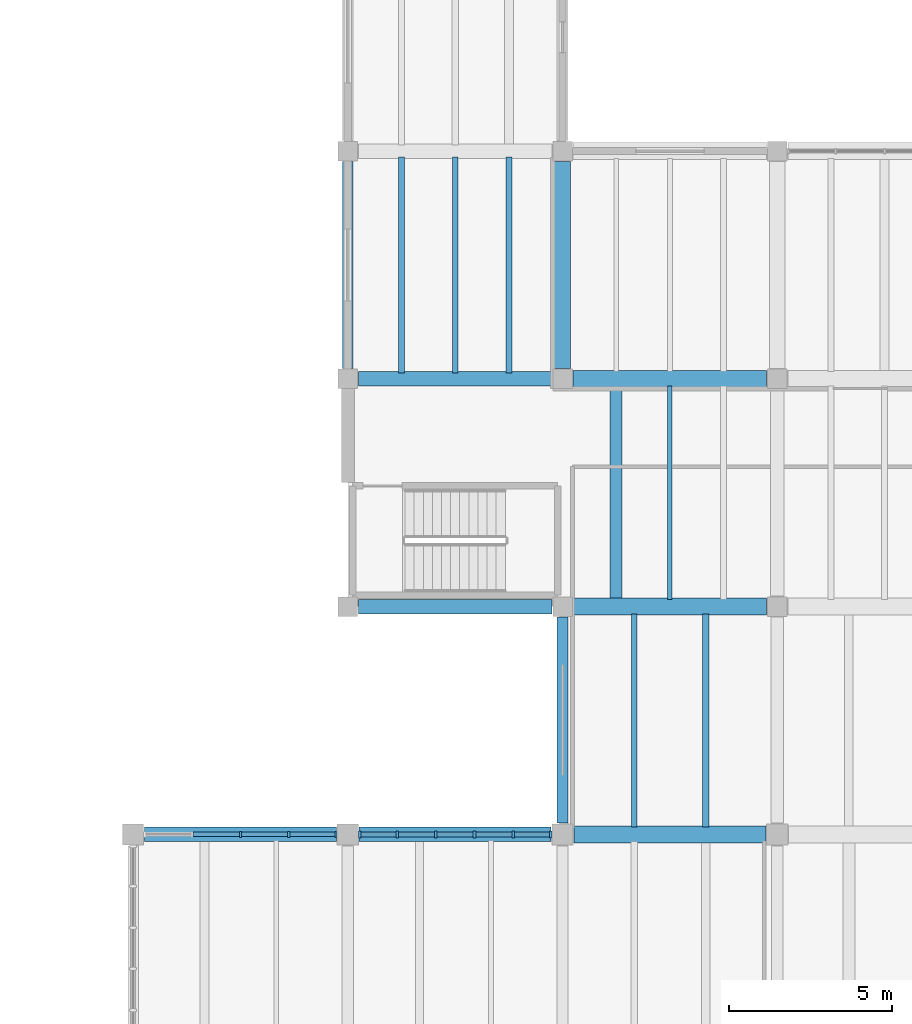
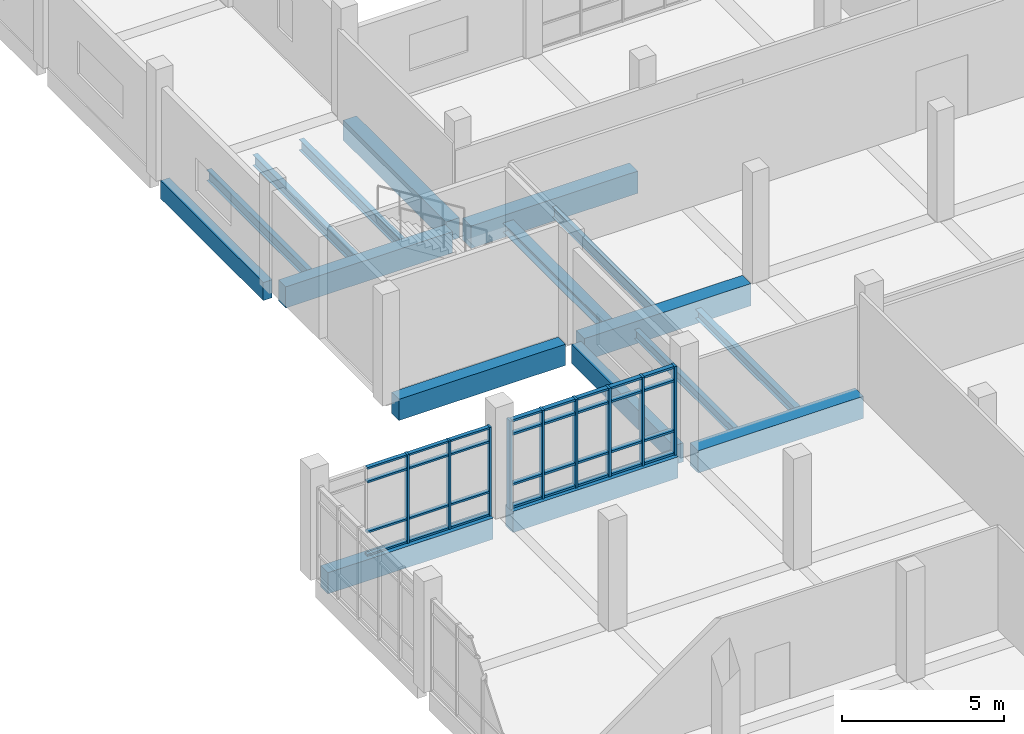
# One storey, part 9 of 68: 41 members, 17 beams, 2 elements without a shape of their own.
"""IFC4 building model written with IfcOpenShell, lengths in metres."""

from ifc_helpers import new_model, si_unit, direction, frame, origin, origin_2d, place, context, subcontext, project, spatial, rectangle, i_section, extrude, material, material_profile, profile_set, type_object, element, aggregate, save


model = new_model("IFC4")

# Units and contexts
model_context = context("Model", 3, precision=1e-05, world=origin(), true_north=direction((0.0, 1.0)))
body_context = subcontext(model_context, "Body", "Model", "MODEL_VIEW")
ifc_project = project(units=[si_unit("LENGTHUNIT", "METRE"), si_unit("AREAUNIT", "SQUARE_METRE"), si_unit("VOLUMEUNIT", "CUBIC_METRE"), si_unit("PLANEANGLEUNIT", "RADIAN"), si_unit("MASSUNIT", "GRAM", prefix="KILO")], contexts=[model_context])

# Site, building, storey
site_placement = place(None, origin())
site = spatial("IfcSite", under=ifc_project, at=site_placement, CompositionType="ELEMENT")
building_placement = place(site_placement, origin())
building = spatial("IfcBuilding", under=site, at=building_placement, Name="Ciguamira Faculty of Natural Sciences", CompositionType="ELEMENT")
storey_placement = place(building_placement, frame((0.0, 0.0, 4.199951171875)))
storey = spatial("IfcBuildingStorey", under=building, at=storey_placement, Name="L01", CompositionType="ELEMENT", Elevation=4.199951171875)

# Curtain wall, members
ifc_material_1 = material(Name="Anodized aluminium curtain wall", Category="aluminium")
curtain_wall_type_1 = type_object("IfcCurtainWallType", Name="CurtainWall_CW-08", PredefinedType="USERDEFINED", material=ifc_material_1)
curtain_wall_1_placement = place(storey_placement, origin())
curtain_wall_1 = element("IfcCurtainWall", 1, at=curtain_wall_1_placement, inside=storey, type_object=curtain_wall_type_1, Name="L01 unitised curtain wall 0032", ObjectType="UNITISED CURTAIN WALL", PredefinedType="USERDEFINED")
ifc_material_2 = material(Name="Anodized aluminium mullion", Category="aluminium")
ifc_material_profile_1 = material_profile(ifc_material_2, rectangle(XDim=0.070068359375, YDim=0.179931640625, at=origin_2d()), Name="ALU-MUL-70X180")
ifc_profile_set_1 = profile_set([ifc_material_profile_1], Name="Anodized aluminium mullion")
member_type_1 = type_object("IfcMemberType", Name="CWMullion_CWM-02", PredefinedType="MULLION", material=ifc_profile_set_1)
member_1_placement = place(storey_placement, frame((54.0, 38.0, 0.0), z_axis=(0.0, 0.0, 1.0), x_axis=(1.0, 0.0, 0.0)))
member_1 = element("IfcMember", 2, at=member_1_placement, type_object=member_type_1, Name="CW-08 mullion 3", PredefinedType="MULLION", context=body_context, shape_type="SweptSolid", body=[
    extrude(rectangle(XDim=0.070068359375, YDim=0.179931640625, at=origin_2d()), origin(), (0.0, 0.0, 1.0), 3.344970703125),
])
member_2_placement = place(storey_placement, frame((55.487548828125, 38.0, 0.0), z_axis=(0.0, 0.0, 1.0), x_axis=(1.0, 0.0, 0.0)))
member_2 = element("IfcMember", 3, at=member_2_placement, type_object=member_type_1, Name="CW-08 mullion 4", PredefinedType="MULLION", context=body_context, shape_type="SweptSolid", body=[
    extrude(rectangle(XDim=0.070068359375, YDim=0.179931640625, at=origin_2d()), origin(), (0.0, 0.0, 1.0), 3.344970703125),
])
member_3_placement = place(storey_placement, frame((56.93994140625, 38.0, 0.0), z_axis=(0.0, 0.0, 1.0), x_axis=(1.0, 0.0, 0.0)))
member_3 = element("IfcMember", 4, at=member_3_placement, type_object=member_type_1, Name="CW-08 mullion 5", PredefinedType="MULLION", context=body_context, shape_type="SweptSolid", body=[
    extrude(rectangle(XDim=0.070068359375, YDim=0.179931640625, at=origin_2d()), origin(), (0.0, 0.0, 1.0), 3.344970703125),
])

curtain_wall_type_2 = type_object("IfcCurtainWallType", Name="CurtainWall_CW-09", PredefinedType="USERDEFINED", material=ifc_material_1)
curtain_wall_2_placement = place(storey_placement, origin())
curtain_wall_2 = element("IfcCurtainWall", 5, at=curtain_wall_2_placement, inside=storey, type_object=curtain_wall_type_2, Name="L01 unitised curtain wall 0033", ObjectType="UNITISED CURTAIN WALL", PredefinedType="USERDEFINED")
ifc_material_profile_2 = material_profile(ifc_material_2, rectangle(XDim=0.080078125, YDim=0.219970703125, at=origin_2d()), Name="ALU-MUL-80X220")
ifc_profile_set_2 = profile_set([ifc_material_profile_2], Name="Anodized aluminium mullion")
member_type_2 = type_object("IfcMemberType", Name="CWMullion_CWM-03", PredefinedType="MULLION", material=ifc_profile_set_2)
member_4_placement = place(storey_placement, frame((57.6650390625, 38.0, 0.0), z_axis=(0.0, 0.0, 1.0), x_axis=(1.0, 0.0, 0.0)))
member_4 = element("IfcMember", 6, at=member_4_placement, type_object=member_type_2, Name="CW-09 mullion 1", PredefinedType="MULLION", context=body_context, shape_type="SweptSolid", body=[
    extrude(rectangle(XDim=0.080078125, YDim=0.219970703125, at=origin_2d()), origin(), (0.0, 0.0, 1.0), 3.344970703125),
])
member_5_placement = place(storey_placement, frame((58.81494140625, 38.0, 0.0), z_axis=(0.0, 0.0, 1.0), x_axis=(1.0, 0.0, 0.0)))
member_5 = element("IfcMember", 7, at=member_5_placement, type_object=member_type_2, Name="CW-09 mullion 2", PredefinedType="MULLION", context=body_context, shape_type="SweptSolid", body=[
    extrude(rectangle(XDim=0.080078125, YDim=0.219970703125, at=origin_2d()), origin(), (0.0, 0.0, 1.0), 3.344970703125),
])
member_6_placement = place(storey_placement, frame((60.0048828125, 38.0, 0.0), z_axis=(0.0, 0.0, 1.0), x_axis=(1.0, 0.0, 0.0)))
member_6 = element("IfcMember", 8, at=member_6_placement, type_object=member_type_2, Name="CW-09 mullion 3", PredefinedType="MULLION", context=body_context, shape_type="SweptSolid", body=[
    extrude(rectangle(XDim=0.080078125, YDim=0.219970703125, at=origin_2d()), origin(), (0.0, 0.0, 1.0), 3.344970703125),
])
member_7_placement = place(storey_placement, frame((61.195068359375, 38.0, 0.0), z_axis=(0.0, 0.0, 1.0), x_axis=(1.0, 0.0, 0.0)))
member_7 = element("IfcMember", 9, at=member_7_placement, type_object=member_type_2, Name="CW-09 mullion 4", PredefinedType="MULLION", context=body_context, shape_type="SweptSolid", body=[
    extrude(rectangle(XDim=0.080078125, YDim=0.219970703125, at=origin_2d()), origin(), (0.0, 0.0, 1.0), 3.344970703125),
])
member_8_placement = place(storey_placement, frame((62.385009765625, 38.0, 0.0), z_axis=(0.0, 0.0, 1.0), x_axis=(1.0, 0.0, 0.0)))
member_8 = element("IfcMember", 10, at=member_8_placement, type_object=member_type_2, Name="CW-09 mullion 5", PredefinedType="MULLION", context=body_context, shape_type="SweptSolid", body=[
    extrude(rectangle(XDim=0.080078125, YDim=0.219970703125, at=origin_2d()), origin(), (0.0, 0.0, 1.0), 3.344970703125),
])
member_9_placement = place(storey_placement, frame((63.534912109375, 38.0, 0.0), z_axis=(0.0, 0.0, 1.0), x_axis=(1.0, 0.0, 0.0)))
member_9 = element("IfcMember", 11, at=member_9_placement, type_object=member_type_2, Name="CW-09 mullion 6", PredefinedType="MULLION", context=body_context, shape_type="SweptSolid", body=[
    extrude(rectangle(XDim=0.080078125, YDim=0.219970703125, at=origin_2d()), origin(), (0.0, 0.0, 1.0), 3.344970703125),
])

# Member
ifc_material_3 = material(Name="Anodized aluminium transom", Category="aluminium")
ifc_material_profile_3 = material_profile(ifc_material_3, rectangle(XDim=0.070068359375, YDim=0.139892578125, at=origin_2d()), Name="ALU-TRN-70X140")
ifc_profile_set_3 = profile_set([ifc_material_profile_3], Name="Anodized aluminium transom")
member_type_3 = type_object("IfcMemberType", Name="CWTransom_CWT-02", PredefinedType="USERDEFINED", material=ifc_profile_set_3)
member_10_placement = place(storey_placement, frame((52.547607421875, 38.0, 0.03515625), z_axis=(1.0, 0.0, 0.0), x_axis=(0.0, 0.0, 1.0)))
member_10 = element("IfcMember", 12, at=member_10_placement, type_object=member_type_3, Name="CW-08 transom 2.1", ObjectType="TRANSOM", PredefinedType="USERDEFINED", context=body_context, shape_type="SweptSolid", body=[
    extrude(rectangle(XDim=0.070068359375, YDim=0.139892578125, at=origin_2d()), origin(), (0.0, 0.0, 1.0), 1.41748046875),
])

member_11_placement = place(storey_placement, frame((52.547607421875, 38.0, 0.900146484375), z_axis=(1.0, 0.0, 0.0), x_axis=(0.0, 0.0, 1.0)))
member_11 = element("IfcMember", 13, at=member_11_placement, type_object=member_type_3, Name="CW-08 transom 2.2", ObjectType="TRANSOM", PredefinedType="USERDEFINED", context=body_context, shape_type="SweptSolid", body=[
    extrude(rectangle(XDim=0.070068359375, YDim=0.139892578125, at=origin_2d()), origin(), (0.0, 0.0, 1.0), 1.41748046875),
])

member_12_placement = place(storey_placement, frame((52.547607421875, 38.0, 2.795166015625), z_axis=(1.0, 0.0, 0.0), x_axis=(0.0, 0.0, 1.0)))
member_12 = element("IfcMember", 14, at=member_12_placement, type_object=member_type_3, Name="CW-08 transom 2.3", ObjectType="TRANSOM", PredefinedType="USERDEFINED", context=body_context, shape_type="SweptSolid", body=[
    extrude(rectangle(XDim=0.070068359375, YDim=0.139892578125, at=origin_2d()), origin(), (0.0, 0.0, 1.0), 1.41748046875),
])

member_13_placement = place(storey_placement, frame((52.547607421875, 38.0, 3.31005859375), z_axis=(1.0, 0.0, 0.0), x_axis=(0.0, 0.0, 1.0)))
member_13 = element("IfcMember", 15, at=member_13_placement, type_object=member_type_3, Name="CW-08 transom 2.4", ObjectType="TRANSOM", PredefinedType="USERDEFINED", context=body_context, shape_type="SweptSolid", body=[
    extrude(rectangle(XDim=0.070068359375, YDim=0.139892578125, at=origin_2d()), origin(), (0.0, 0.0, 1.0), 1.41748046875),
])

member_14_placement = place(storey_placement, frame((54.034912109375, 38.0, 0.03515625), z_axis=(1.0, 0.0, 0.0), x_axis=(0.0, 0.0, 1.0)))
member_14 = element("IfcMember", 16, at=member_14_placement, type_object=member_type_3, Name="CW-08 transom 3.1", ObjectType="TRANSOM", PredefinedType="USERDEFINED", context=body_context, shape_type="SweptSolid", body=[
    extrude(rectangle(XDim=0.070068359375, YDim=0.139892578125, at=origin_2d()), origin(), (0.0, 0.0, 1.0), 1.41748046875),
])

member_15_placement = place(storey_placement, frame((54.034912109375, 38.0, 0.900146484375), z_axis=(1.0, 0.0, 0.0), x_axis=(0.0, 0.0, 1.0)))
member_15 = element("IfcMember", 17, at=member_15_placement, type_object=member_type_3, Name="CW-08 transom 3.2", ObjectType="TRANSOM", PredefinedType="USERDEFINED", context=body_context, shape_type="SweptSolid", body=[
    extrude(rectangle(XDim=0.070068359375, YDim=0.139892578125, at=origin_2d()), origin(), (0.0, 0.0, 1.0), 1.41748046875),
])

member_16_placement = place(storey_placement, frame((54.034912109375, 38.0, 2.795166015625), z_axis=(1.0, 0.0, 0.0), x_axis=(0.0, 0.0, 1.0)))
member_16 = element("IfcMember", 18, at=member_16_placement, type_object=member_type_3, Name="CW-08 transom 3.3", ObjectType="TRANSOM", PredefinedType="USERDEFINED", context=body_context, shape_type="SweptSolid", body=[
    extrude(rectangle(XDim=0.070068359375, YDim=0.139892578125, at=origin_2d()), origin(), (0.0, 0.0, 1.0), 1.41748046875),
])

member_17_placement = place(storey_placement, frame((54.034912109375, 38.0, 3.31005859375), z_axis=(1.0, 0.0, 0.0), x_axis=(0.0, 0.0, 1.0)))
member_17 = element("IfcMember", 19, at=member_17_placement, type_object=member_type_3, Name="CW-08 transom 3.4", ObjectType="TRANSOM", PredefinedType="USERDEFINED", context=body_context, shape_type="SweptSolid", body=[
    extrude(rectangle(XDim=0.070068359375, YDim=0.139892578125, at=origin_2d()), origin(), (0.0, 0.0, 1.0), 1.41748046875),
])

member_18_placement = place(storey_placement, frame((55.5224609375, 38.0, 0.03515625), z_axis=(1.0, 0.0, 0.0), x_axis=(0.0, 0.0, 1.0)))
member_18 = element("IfcMember", 20, at=member_18_placement, type_object=member_type_3, Name="CW-08 transom 4.1", ObjectType="TRANSOM", PredefinedType="USERDEFINED", context=body_context, shape_type="SweptSolid", body=[
    extrude(rectangle(XDim=0.070068359375, YDim=0.139892578125, at=origin_2d()), origin(), (0.0, 0.0, 1.0), 1.382568359375),
])

member_19_placement = place(storey_placement, frame((55.5224609375, 38.0, 0.900146484375), z_axis=(1.0, 0.0, 0.0), x_axis=(0.0, 0.0, 1.0)))
member_19 = element("IfcMember", 21, at=member_19_placement, type_object=member_type_3, Name="CW-08 transom 4.2", ObjectType="TRANSOM", PredefinedType="USERDEFINED", context=body_context, shape_type="SweptSolid", body=[
    extrude(rectangle(XDim=0.070068359375, YDim=0.139892578125, at=origin_2d()), origin(), (0.0, 0.0, 1.0), 1.382568359375),
])

member_20_placement = place(storey_placement, frame((55.5224609375, 38.0, 2.795166015625), z_axis=(1.0, 0.0, 0.0), x_axis=(0.0, 0.0, 1.0)))
member_20 = element("IfcMember", 22, at=member_20_placement, type_object=member_type_3, Name="CW-08 transom 4.3", ObjectType="TRANSOM", PredefinedType="USERDEFINED", context=body_context, shape_type="SweptSolid", body=[
    extrude(rectangle(XDim=0.070068359375, YDim=0.139892578125, at=origin_2d()), origin(), (0.0, 0.0, 1.0), 1.382568359375),
])

member_21_placement = place(storey_placement, frame((55.5224609375, 38.0, 3.31005859375), z_axis=(1.0, 0.0, 0.0), x_axis=(0.0, 0.0, 1.0)))
member_21 = element("IfcMember", 23, at=member_21_placement, type_object=member_type_3, Name="CW-08 transom 4.4", ObjectType="TRANSOM", PredefinedType="USERDEFINED", context=body_context, shape_type="SweptSolid", body=[
    extrude(rectangle(XDim=0.070068359375, YDim=0.139892578125, at=origin_2d()), origin(), (0.0, 0.0, 1.0), 1.382568359375),
])

aggregate(curtain_wall_1, [member_1, member_2, member_3, member_10, member_11, member_12, member_13, member_14, member_15, member_16, member_17, member_18, member_19, member_20, member_21])

ifc_material_profile_4 = material_profile(ifc_material_3, rectangle(XDim=0.080078125, YDim=0.159912109375, at=origin_2d()), Name="ALU-TRN-80X160")
ifc_profile_set_4 = profile_set([ifc_material_profile_4], Name="Anodized aluminium transom")
member_type_4 = type_object("IfcMemberType", Name="CWTransom_CWT-03", PredefinedType="USERDEFINED", material=ifc_profile_set_4)
member_22_placement = place(storey_placement, frame((57.705078125, 38.0, 0.0400390625), z_axis=(1.0, 0.0, 0.0), x_axis=(0.0, 0.0, 1.0)))
member_22 = element("IfcMember", 24, at=member_22_placement, type_object=member_type_4, Name="CW-09 transom 1.1", ObjectType="TRANSOM", PredefinedType="USERDEFINED", context=body_context, shape_type="SweptSolid", body=[
    extrude(rectangle(XDim=0.080078125, YDim=0.159912109375, at=origin_2d()), origin(), (0.0, 0.0, 1.0), 1.06982421875),
])

member_23_placement = place(storey_placement, frame((57.705078125, 38.0, 0.900146484375), z_axis=(1.0, 0.0, 0.0), x_axis=(0.0, 0.0, 1.0)))
member_23 = element("IfcMember", 25, at=member_23_placement, type_object=member_type_4, Name="CW-09 transom 1.2", ObjectType="TRANSOM", PredefinedType="USERDEFINED", context=body_context, shape_type="SweptSolid", body=[
    extrude(rectangle(XDim=0.080078125, YDim=0.159912109375, at=origin_2d()), origin(), (0.0, 0.0, 1.0), 1.06982421875),
])

member_24_placement = place(storey_placement, frame((57.705078125, 38.0, 2.795166015625), z_axis=(1.0, 0.0, 0.0), x_axis=(0.0, 0.0, 1.0)))
member_24 = element("IfcMember", 26, at=member_24_placement, type_object=member_type_4, Name="CW-09 transom 1.3", ObjectType="TRANSOM", PredefinedType="USERDEFINED", context=body_context, shape_type="SweptSolid", body=[
    extrude(rectangle(XDim=0.080078125, YDim=0.159912109375, at=origin_2d()), origin(), (0.0, 0.0, 1.0), 1.06982421875),
])

member_25_placement = place(storey_placement, frame((57.705078125, 38.0, 3.304931640625), z_axis=(1.0, 0.0, 0.0), x_axis=(0.0, 0.0, 1.0)))
member_25 = element("IfcMember", 27, at=member_25_placement, type_object=member_type_4, Name="CW-09 transom 1.4", ObjectType="TRANSOM", PredefinedType="USERDEFINED", context=body_context, shape_type="SweptSolid", body=[
    extrude(rectangle(XDim=0.080078125, YDim=0.159912109375, at=origin_2d()), origin(), (0.0, 0.0, 1.0), 1.06982421875),
])

member_26_placement = place(storey_placement, frame((58.85498046875, 38.0, 0.0400390625), z_axis=(1.0, 0.0, 0.0), x_axis=(0.0, 0.0, 1.0)))
member_26 = element("IfcMember", 28, at=member_26_placement, type_object=member_type_4, Name="CW-09 transom 2.1", ObjectType="TRANSOM", PredefinedType="USERDEFINED", context=body_context, shape_type="SweptSolid", body=[
    extrude(rectangle(XDim=0.080078125, YDim=0.159912109375, at=origin_2d()), origin(), (0.0, 0.0, 1.0), 1.110107421875),
])

member_27_placement = place(storey_placement, frame((58.85498046875, 38.0, 0.900146484375), z_axis=(1.0, 0.0, 0.0), x_axis=(0.0, 0.0, 1.0)))
member_27 = element("IfcMember", 29, at=member_27_placement, type_object=member_type_4, Name="CW-09 transom 2.2", ObjectType="TRANSOM", PredefinedType="USERDEFINED", context=body_context, shape_type="SweptSolid", body=[
    extrude(rectangle(XDim=0.080078125, YDim=0.159912109375, at=origin_2d()), origin(), (0.0, 0.0, 1.0), 1.110107421875),
])

member_28_placement = place(storey_placement, frame((58.85498046875, 38.0, 2.795166015625), z_axis=(1.0, 0.0, 0.0), x_axis=(0.0, 0.0, 1.0)))
member_28 = element("IfcMember", 30, at=member_28_placement, type_object=member_type_4, Name="CW-09 transom 2.3", ObjectType="TRANSOM", PredefinedType="USERDEFINED", context=body_context, shape_type="SweptSolid", body=[
    extrude(rectangle(XDim=0.080078125, YDim=0.159912109375, at=origin_2d()), origin(), (0.0, 0.0, 1.0), 1.110107421875),
])

member_29_placement = place(storey_placement, frame((58.85498046875, 38.0, 3.304931640625), z_axis=(1.0, 0.0, 0.0), x_axis=(0.0, 0.0, 1.0)))
member_29 = element("IfcMember", 31, at=member_29_placement, type_object=member_type_4, Name="CW-09 transom 2.4", ObjectType="TRANSOM", PredefinedType="USERDEFINED", context=body_context, shape_type="SweptSolid", body=[
    extrude(rectangle(XDim=0.080078125, YDim=0.159912109375, at=origin_2d()), origin(), (0.0, 0.0, 1.0), 1.110107421875),
])

member_30_placement = place(storey_placement, frame((60.044921875, 38.0, 0.0400390625), z_axis=(1.0, 0.0, 0.0), x_axis=(0.0, 0.0, 1.0)))
member_30 = element("IfcMember", 32, at=member_30_placement, type_object=member_type_4, Name="CW-09 transom 3.1", ObjectType="TRANSOM", PredefinedType="USERDEFINED", context=body_context, shape_type="SweptSolid", body=[
    extrude(rectangle(XDim=0.080078125, YDim=0.159912109375, at=origin_2d()), origin(), (0.0, 0.0, 1.0), 1.110107421875),
])

member_31_placement = place(storey_placement, frame((60.044921875, 38.0, 0.900146484375), z_axis=(1.0, 0.0, 0.0), x_axis=(0.0, 0.0, 1.0)))
member_31 = element("IfcMember", 33, at=member_31_placement, type_object=member_type_4, Name="CW-09 transom 3.2", ObjectType="TRANSOM", PredefinedType="USERDEFINED", context=body_context, shape_type="SweptSolid", body=[
    extrude(rectangle(XDim=0.080078125, YDim=0.159912109375, at=origin_2d()), origin(), (0.0, 0.0, 1.0), 1.110107421875),
])

member_32_placement = place(storey_placement, frame((60.044921875, 38.0, 2.795166015625), z_axis=(1.0, 0.0, 0.0), x_axis=(0.0, 0.0, 1.0)))
member_32 = element("IfcMember", 34, at=member_32_placement, type_object=member_type_4, Name="CW-09 transom 3.3", ObjectType="TRANSOM", PredefinedType="USERDEFINED", context=body_context, shape_type="SweptSolid", body=[
    extrude(rectangle(XDim=0.080078125, YDim=0.159912109375, at=origin_2d()), origin(), (0.0, 0.0, 1.0), 1.110107421875),
])

member_33_placement = place(storey_placement, frame((60.044921875, 38.0, 3.304931640625), z_axis=(1.0, 0.0, 0.0), x_axis=(0.0, 0.0, 1.0)))
member_33 = element("IfcMember", 35, at=member_33_placement, type_object=member_type_4, Name="CW-09 transom 3.4", ObjectType="TRANSOM", PredefinedType="USERDEFINED", context=body_context, shape_type="SweptSolid", body=[
    extrude(rectangle(XDim=0.080078125, YDim=0.159912109375, at=origin_2d()), origin(), (0.0, 0.0, 1.0), 1.110107421875),
])

member_34_placement = place(storey_placement, frame((61.235107421875, 38.0, 0.0400390625), z_axis=(1.0, 0.0, 0.0), x_axis=(0.0, 0.0, 1.0)))
member_34 = element("IfcMember", 36, at=member_34_placement, type_object=member_type_4, Name="CW-09 transom 4.1", ObjectType="TRANSOM", PredefinedType="USERDEFINED", context=body_context, shape_type="SweptSolid", body=[
    extrude(rectangle(XDim=0.080078125, YDim=0.159912109375, at=origin_2d()), origin(), (0.0, 0.0, 1.0), 1.10986328125),
])

member_35_placement = place(storey_placement, frame((61.235107421875, 38.0, 0.900146484375), z_axis=(1.0, 0.0, 0.0), x_axis=(0.0, 0.0, 1.0)))
member_35 = element("IfcMember", 37, at=member_35_placement, type_object=member_type_4, Name="CW-09 transom 4.2", ObjectType="TRANSOM", PredefinedType="USERDEFINED", context=body_context, shape_type="SweptSolid", body=[
    extrude(rectangle(XDim=0.080078125, YDim=0.159912109375, at=origin_2d()), origin(), (0.0, 0.0, 1.0), 1.10986328125),
])

member_36_placement = place(storey_placement, frame((61.235107421875, 38.0, 2.795166015625), z_axis=(1.0, 0.0, 0.0), x_axis=(0.0, 0.0, 1.0)))
member_36 = element("IfcMember", 38, at=member_36_placement, type_object=member_type_4, Name="CW-09 transom 4.3", ObjectType="TRANSOM", PredefinedType="USERDEFINED", context=body_context, shape_type="SweptSolid", body=[
    extrude(rectangle(XDim=0.080078125, YDim=0.159912109375, at=origin_2d()), origin(), (0.0, 0.0, 1.0), 1.10986328125),
])

member_37_placement = place(storey_placement, frame((61.235107421875, 38.0, 3.304931640625), z_axis=(1.0, 0.0, 0.0), x_axis=(0.0, 0.0, 1.0)))
member_37 = element("IfcMember", 39, at=member_37_placement, type_object=member_type_4, Name="CW-09 transom 4.4", ObjectType="TRANSOM", PredefinedType="USERDEFINED", context=body_context, shape_type="SweptSolid", body=[
    extrude(rectangle(XDim=0.080078125, YDim=0.159912109375, at=origin_2d()), origin(), (0.0, 0.0, 1.0), 1.10986328125),
])

member_38_placement = place(storey_placement, frame((62.425048828125, 38.0, 0.0400390625), z_axis=(1.0, 0.0, 0.0), x_axis=(0.0, 0.0, 1.0)))
member_38 = element("IfcMember", 40, at=member_38_placement, type_object=member_type_4, Name="CW-09 transom 5.1", ObjectType="TRANSOM", PredefinedType="USERDEFINED", context=body_context, shape_type="SweptSolid", body=[
    extrude(rectangle(XDim=0.080078125, YDim=0.159912109375, at=origin_2d()), origin(), (0.0, 0.0, 1.0), 1.070068359375),
])

member_39_placement = place(storey_placement, frame((62.425048828125, 38.0, 0.900146484375), z_axis=(1.0, 0.0, 0.0), x_axis=(0.0, 0.0, 1.0)))
member_39 = element("IfcMember", 41, at=member_39_placement, type_object=member_type_4, Name="CW-09 transom 5.2", ObjectType="TRANSOM", PredefinedType="USERDEFINED", context=body_context, shape_type="SweptSolid", body=[
    extrude(rectangle(XDim=0.080078125, YDim=0.159912109375, at=origin_2d()), origin(), (0.0, 0.0, 1.0), 1.070068359375),
])

member_40_placement = place(storey_placement, frame((62.425048828125, 38.0, 2.795166015625), z_axis=(1.0, 0.0, 0.0), x_axis=(0.0, 0.0, 1.0)))
member_40 = element("IfcMember", 42, at=member_40_placement, type_object=member_type_4, Name="CW-09 transom 5.3", ObjectType="TRANSOM", PredefinedType="USERDEFINED", context=body_context, shape_type="SweptSolid", body=[
    extrude(rectangle(XDim=0.080078125, YDim=0.159912109375, at=origin_2d()), origin(), (0.0, 0.0, 1.0), 1.070068359375),
])

member_41_placement = place(storey_placement, frame((62.425048828125, 38.0, 3.304931640625), z_axis=(1.0, 0.0, 0.0), x_axis=(0.0, 0.0, 1.0)))
member_41 = element("IfcMember", 43, at=member_41_placement, type_object=member_type_4, Name="CW-09 transom 5.4", ObjectType="TRANSOM", PredefinedType="USERDEFINED", context=body_context, shape_type="SweptSolid", body=[
    extrude(rectangle(XDim=0.080078125, YDim=0.159912109375, at=origin_2d()), origin(), (0.0, 0.0, 1.0), 1.070068359375),
])

aggregate(curtain_wall_2, [member_4, member_5, member_6, member_7, member_8, member_9, member_22, member_23, member_24, member_25, member_26, member_27, member_28, member_29, member_30, member_31, member_32, member_33, member_34, member_35, member_36, member_37, member_38, member_39, member_40, member_41])

# Beams
ifc_material_4 = material(Name="Concrete C40/50", Category="concrete")
ifc_material_profile_5 = material_profile(ifc_material_4, rectangle(XDim=0.449951171875, YDim=0.800048828125, at=origin_2d()), Name="RC-BM-450X800")
ifc_profile_set_5 = profile_set([ifc_material_profile_5], Name="Concrete C40/50")
beam_type_1 = type_object("IfcBeamType", Name="RCBeam_BG-05_RC-BM-450X800", PredefinedType="BEAM", material=ifc_profile_set_5)
beam_1_placement = place(storey_placement, frame((51.050048828125, 38.0, -0.39990234375), z_axis=(1.0, 0.0, 0.0), x_axis=(0.0, 1.0, 0.0)))
element("IfcBeam", 44, at=beam_1_placement, inside=storey, type_object=beam_type_1, Name="L01 RC girder EW-0446", PredefinedType="BEAM", context=body_context, shape_type="SweptSolid", body=[
    extrude(rectangle(XDim=0.449951171875, YDim=0.800048828125, at=origin_2d()), origin(), (0.0, 0.0, 1.0), 5.89990234375),
])
beam_2_placement = place(storey_placement, frame((57.64990234375, 38.0, -0.39990234375), z_axis=(1.0, 0.0, 0.0), x_axis=(0.0, 1.0, 0.0)))
element("IfcBeam", 45, at=beam_2_placement, inside=storey, type_object=beam_type_1, Name="L01 RC girder EW-0447", PredefinedType="BEAM", context=body_context, shape_type="SweptSolid", body=[
    extrude(rectangle(XDim=0.449951171875, YDim=0.800048828125, at=origin_2d()), origin(), (0.0, 0.0, 1.0), 5.900146484375),
])
for number, where, z_axis, x_axis, name in (
    (46, (57.625, 45.0, -0.39990234375), (1.0, 0.0, 0.0), (0.0, 1.0, 0.0), "L01 RC girder EW-0457"),
    (47, (57.625, 52.0, -0.39990234375), (1.0, 0.0, 0.0), (0.0, 1.0, 0.0), "L01 RC girder EW-0466"),
):
    element("IfcBeam", number, at=place(storey_placement, frame(where, z_axis=z_axis, x_axis=x_axis)), inside=storey, type_object=beam_type_1, Name=name, PredefinedType="BEAM", context=body_context, shape_type="SweptSolid", body=[
        extrude(rectangle(XDim=0.449951171875, YDim=0.800048828125, at=origin_2d()), origin(), (0.0, 0.0, 1.0), 5.949951171875),
    ])
ifc_material_5 = material(Name="Precast concrete C40/50", Category="concrete")
ifc_material_profile_6 = material_profile(ifc_material_5, rectangle(XDim=0.320068359375, YDim=0.679931640625, at=origin_2d()), Name="RC-SP-320X680")
ifc_profile_set_6 = profile_set([ifc_material_profile_6], Name="Precast concrete C40/50")
beam_type_2 = type_object("IfcBeamType", Name="RCBeam_SP-02_RC-SP-320X680", PredefinedType="SPANDREL", material=ifc_profile_set_6)
beam_3_placement = place(storey_placement, frame((57.300048828125, 52.324951171875, -0.33984375), z_axis=(0.0, 1.0, 0.0), x_axis=(-1.0, 0.0, 0.0)))
element("IfcBeam", 48, at=beam_3_placement, inside=storey, type_object=beam_type_2, Name="L01 girder NS-0574", PredefinedType="SPANDREL", context=body_context, shape_type="SweptSolid", body=[
    extrude(rectangle(XDim=0.320068359375, YDim=0.679931640625, at=origin_2d()), origin(), (0.0, 0.0, 1.0), 6.35009765625),
])
ifc_material_profile_7 = material_profile(ifc_material_5, rectangle(XDim=0.340087890625, YDim=0.719970703125, at=origin_2d()), Name="RC-SP-340X720")
ifc_profile_set_7 = profile_set([ifc_material_profile_7], Name="Precast concrete C40/50")
beam_type_3 = type_object("IfcBeamType", Name="RCBeam_SP-03_RC-SP-340X720", PredefinedType="SPANDREL", material=ifc_profile_set_7)
beam_4_placement = place(storey_placement, frame((63.89990234375, 38.35009765625, -0.35986328125), z_axis=(0.0, 1.0, 0.0), x_axis=(-1.0, 0.0, 0.0)))
element("IfcBeam", 49, at=beam_4_placement, inside=storey, type_object=beam_type_3, Name="L01 girder NS-0585", PredefinedType="SPANDREL", context=body_context, shape_type="SweptSolid", body=[
    extrude(rectangle(XDim=0.340087890625, YDim=0.719970703125, at=origin_2d()), origin(), (0.0, 0.0, 1.0), 6.324951171875),
])
ifc_material_profile_8 = material_profile(ifc_material_4, rectangle(XDim=0.47998046875, YDim=0.760009765625, at=origin_2d()), Name="RC-TB-480X760")
ifc_profile_set_8 = profile_set([ifc_material_profile_8], Name="Concrete C40/50")
beam_type_4 = type_object("IfcBeamType", Name="RCBeam_TB-01_RC-TB-480X760", PredefinedType="T_BEAM", material=ifc_profile_set_8)
beam_5_placement = place(storey_placement, frame((63.89990234375, 52.324951171875, -0.3798828125), z_axis=(0.0, 1.0, 0.0), x_axis=(-1.0, 0.0, 0.0)))
element("IfcBeam", 50, at=beam_5_placement, inside=storey, type_object=beam_type_4, Name="L01 girder NS-0586", PredefinedType="T_BEAM", context=body_context, shape_type="SweptSolid", body=[
    extrude(rectangle(XDim=0.47998046875, YDim=0.760009765625, at=origin_2d()), origin(), (0.0, 0.0, 1.0), 6.35009765625),
])
ifc_material_profile_9 = material_profile(ifc_material_4, rectangle(XDim=0.52001953125, YDim=0.840087890625, at=origin_2d()), Name="RC-TB-520X840")
ifc_profile_set_9 = profile_set([ifc_material_profile_9], Name="Concrete C40/50")
beam_type_5 = type_object("IfcBeamType", Name="RCBeam_TB-02_RC-TB-520X840", PredefinedType="T_BEAM", material=ifc_profile_set_9)
beam_6_placement = place(storey_placement, frame((64.25, 38.0, -0.419921875), z_axis=(1.0, 0.0, 0.0), x_axis=(0.0, 1.0, 0.0)))
element("IfcBeam", 51, at=beam_6_placement, inside=storey, type_object=beam_type_5, Name="L01 RC girder EW-0448", PredefinedType="T_BEAM", context=body_context, shape_type="SweptSolid", body=[
    extrude(rectangle(XDim=0.52001953125, YDim=0.840087890625, at=origin_2d()), origin(), (0.0, 0.0, 1.0), 5.89990234375),
])
for number, where, z_axis, x_axis, name in (
    (52, (64.22509765625, 45.0, -0.419921875), (1.0, 0.0, 0.0), (0.0, 1.0, 0.0), "L01 RC girder EW-0458"),
    (53, (64.22509765625, 52.0, -0.419921875), (1.0, 0.0, 0.0), (0.0, 1.0, 0.0), "L01 RC girder EW-0467"),
):
    element("IfcBeam", number, at=place(storey_placement, frame(where, z_axis=z_axis, x_axis=x_axis)), inside=storey, type_object=beam_type_5, Name=name, PredefinedType="T_BEAM", context=body_context, shape_type="SweptSolid", body=[
        extrude(rectangle(XDim=0.52001953125, YDim=0.840087890625, at=origin_2d()), origin(), (0.0, 0.0, 1.0), 5.949951171875),
    ])
ifc_material_6 = material(Name="Steel ASTM A992 Grade 50", Category="steel")
ifc_material_profile_10 = material_profile(ifc_material_6, i_section(OverallWidth=0.1708984375, OverallDepth=0.3505859375, WebThickness=0.0068359375, FlangeThickness=0.009765625, at=origin_2d()), Name="W14X30")
ifc_profile_set_10 = profile_set([ifc_material_profile_10], Name="Steel ASTM A992 Grade 50")
beam_type_6 = type_object("IfcBeamType", Name="SteelJoist_SJ-11_W14X30", PredefinedType="JOIST", material=ifc_profile_set_10)
beam_7_placement = place(storey_placement, frame((66.10009765625, 38.219970703125, -0.455322265625), z_axis=(0.0, 1.0, 0.0), x_axis=(-1.0, 0.0, 0.0)))
element("IfcBeam", 54, at=beam_7_placement, inside=storey, type_object=beam_type_6, Name="L01 composite steel joist 00421", PredefinedType="JOIST", context=body_context, shape_type="SweptSolid", body=[
    extrude(i_section(OverallWidth=0.1708984375, OverallDepth=0.3505859375, WebThickness=0.0068359375, FlangeThickness=0.009765625, at=origin_2d()), origin(), (0.0, 0.0, 1.0), 6.56005859375),
])
ifc_material_profile_11 = material_profile(ifc_material_6, i_section(OverallWidth=0.203125, OverallDepth=0.347900390625, WebThickness=0.0078125, FlangeThickness=0.013427734375, at=origin_2d()), Name="W14X43")
ifc_profile_set_11 = profile_set([ifc_material_profile_11], Name="Steel ASTM A992 Grade 50")
beam_type_7 = type_object("IfcBeamType", Name="SteelJoist_SJ-12_W14X43", PredefinedType="JOIST", material=ifc_profile_set_11)
beam_8_placement = place(storey_placement, frame((68.300048828125, 38.219970703125, -0.453857421875), z_axis=(0.0, 1.0, 0.0), x_axis=(-1.0, 0.0, 0.0)))
element("IfcBeam", 55, at=beam_8_placement, inside=storey, type_object=beam_type_7, Name="L01 composite steel joist 00422", PredefinedType="JOIST", context=body_context, shape_type="SweptSolid", body=[
    extrude(i_section(OverallWidth=0.203125, OverallDepth=0.347900390625, WebThickness=0.0078125, FlangeThickness=0.013427734375, at=origin_2d()), origin(), (0.0, 0.0, 1.0), 6.56005859375),
])
ifc_material_profile_12 = material_profile(ifc_material_6, i_section(OverallWidth=0.368408203125, OverallDepth=0.355712890625, WebThickness=0.01123046875, FlangeThickness=0.01806640625, at=origin_2d()), Name="W14X90")
ifc_profile_set_12 = profile_set([ifc_material_profile_12], Name="Steel ASTM A992 Grade 50")
beam_type_8 = type_object("IfcBeamType", Name="SteelJoist_SJ-16_W14X90", PredefinedType="JOIST", material=ifc_profile_set_12)
beam_9_placement = place(storey_placement, frame((65.550048828125, 45.219970703125, -0.457763671875), z_axis=(0.0, 1.0, 0.0), x_axis=(-1.0, 0.0, 0.0)))
element("IfcBeam", 56, at=beam_9_placement, inside=storey, type_object=beam_type_8, Name="L01 composite steel joist 00423", PredefinedType="JOIST", context=body_context, shape_type="SweptSolid", body=[
    extrude(i_section(OverallWidth=0.368408203125, OverallDepth=0.355712890625, WebThickness=0.01123046875, FlangeThickness=0.01806640625, at=origin_2d()), origin(), (0.0, 0.0, 1.0), 6.56005859375),
])
ifc_material_profile_13 = material_profile(ifc_material_6, i_section(OverallWidth=0.140380859375, OverallDepth=0.40380859375, WebThickness=0.007080078125, FlangeThickness=0.01123046875, at=origin_2d()), Name="W16X31")
ifc_profile_set_13 = profile_set([ifc_material_profile_13], Name="Steel ASTM A992 Grade 50")
beam_type_9 = type_object("IfcBeamType", Name="SteelJoist_SJ-17_W16X31", PredefinedType="JOIST", material=ifc_profile_set_13)
beam_10_placement = place(storey_placement, frame((67.199951171875, 45.219970703125, -0.48193359375), z_axis=(0.0, 1.0, 0.0), x_axis=(-1.0, 0.0, 0.0)))
element("IfcBeam", 57, at=beam_10_placement, inside=storey, type_object=beam_type_9, Name="L01 composite steel joist 00424", PredefinedType="JOIST", context=body_context, shape_type="SweptSolid", body=[
    extrude(i_section(OverallWidth=0.140380859375, OverallDepth=0.40380859375, WebThickness=0.007080078125, FlangeThickness=0.01123046875, at=origin_2d()), origin(), (0.0, 0.0, 1.0), 6.56005859375),
])
ifc_material_profile_14 = material_profile(ifc_material_6, i_section(OverallWidth=0.177490234375, OverallDepth=0.40380859375, WebThickness=0.007568359375, FlangeThickness=0.010986328125, at=origin_2d()), Name="W16X36")
ifc_profile_set_14 = profile_set([ifc_material_profile_14], Name="Steel ASTM A992 Grade 50")
beam_type_10 = type_object("IfcBeamType", Name="SteelJoist_SJ-18_W16X36", PredefinedType="JOIST", material=ifc_profile_set_14)
beam_11_placement = place(storey_placement, frame((58.949951171875, 52.18505859375, -0.48193359375), z_axis=(0.0, 1.0, 0.0), x_axis=(-1.0, 0.0, 0.0)))
element("IfcBeam", 58, at=beam_11_placement, inside=storey, type_object=beam_type_10, Name="L01 composite steel joist 00393", PredefinedType="JOIST", context=body_context, shape_type="SweptSolid", body=[
    extrude(i_section(OverallWidth=0.177490234375, OverallDepth=0.40380859375, WebThickness=0.007568359375, FlangeThickness=0.010986328125, at=origin_2d()), origin(), (0.0, 0.0, 1.0), 6.6298828125),
])
ifc_material_profile_15 = material_profile(ifc_material_6, i_section(OverallWidth=0.1787109375, OverallDepth=0.408935546875, WebThickness=0.0087890625, FlangeThickness=0.014404296875, at=origin_2d()), Name="W16X45")
ifc_profile_set_15 = profile_set([ifc_material_profile_15], Name="Steel ASTM A992 Grade 50")
beam_type_11 = type_object("IfcBeamType", Name="SteelJoist_SJ-19_W16X45", PredefinedType="JOIST", material=ifc_profile_set_15)
beam_12_placement = place(storey_placement, frame((60.60009765625, 52.18505859375, -0.484375), z_axis=(0.0, 1.0, 0.0), x_axis=(-1.0, 0.0, 0.0)))
element("IfcBeam", 59, at=beam_12_placement, inside=storey, type_object=beam_type_11, Name="L01 composite steel joist 00394", PredefinedType="JOIST", context=body_context, shape_type="SweptSolid", body=[
    extrude(i_section(OverallWidth=0.1787109375, OverallDepth=0.408935546875, WebThickness=0.0087890625, FlangeThickness=0.014404296875, at=origin_2d()), origin(), (0.0, 0.0, 1.0), 6.6298828125),
])
ifc_material_profile_16 = material_profile(ifc_material_6, i_section(OverallWidth=0.180908203125, OverallDepth=0.41650390625, WebThickness=0.010986328125, FlangeThickness=0.01806640625, at=origin_2d()), Name="W16X57")
ifc_profile_set_16 = profile_set([ifc_material_profile_16], Name="Steel ASTM A992 Grade 50")
beam_type_12 = type_object("IfcBeamType", Name="SteelJoist_SJ-20_W16X57", PredefinedType="JOIST", material=ifc_profile_set_16)
beam_13_placement = place(storey_placement, frame((62.25, 52.18505859375, -0.48828125), z_axis=(0.0, 1.0, 0.0), x_axis=(-1.0, 0.0, 0.0)))
element("IfcBeam", 60, at=beam_13_placement, inside=storey, type_object=beam_type_12, Name="L01 composite steel joist 00395", PredefinedType="JOIST", context=body_context, shape_type="SweptSolid", body=[
    extrude(i_section(OverallWidth=0.180908203125, OverallDepth=0.41650390625, WebThickness=0.010986328125, FlangeThickness=0.01806640625, at=origin_2d()), origin(), (0.0, 0.0, 1.0), 6.6298828125),
])

save(model, "model.ifc")
